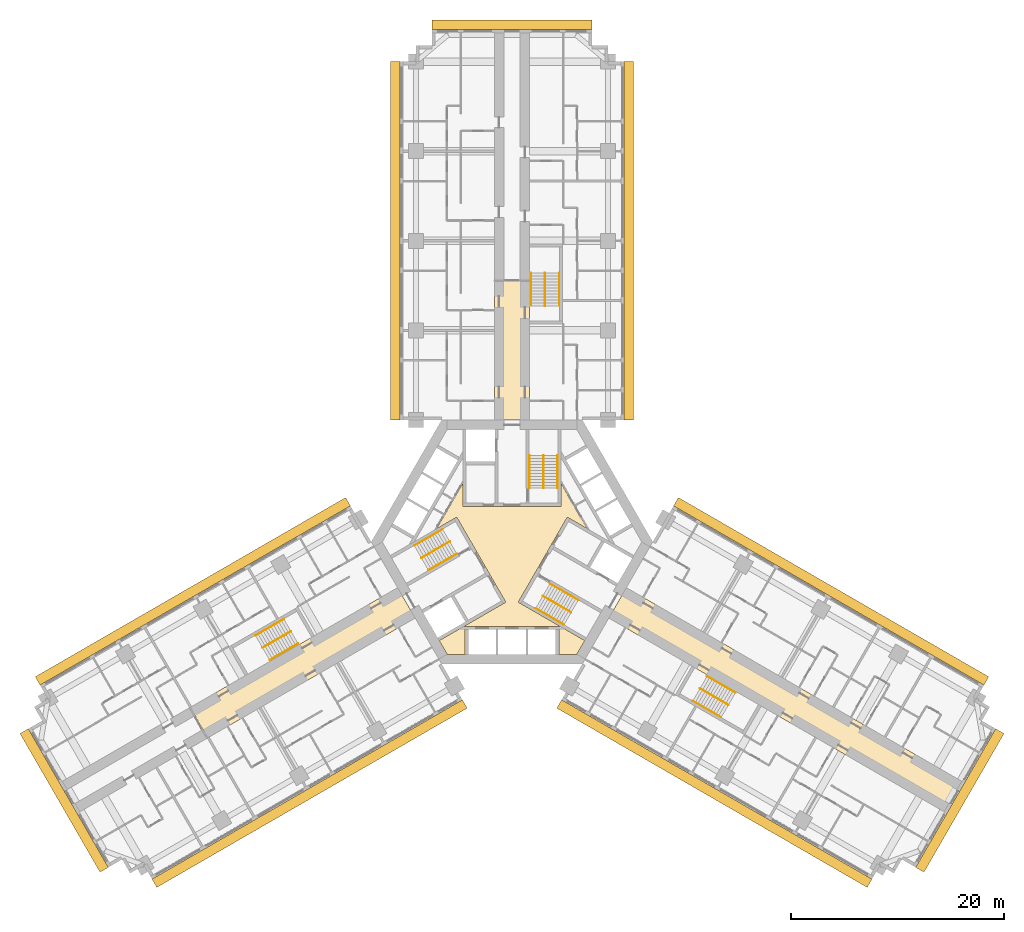
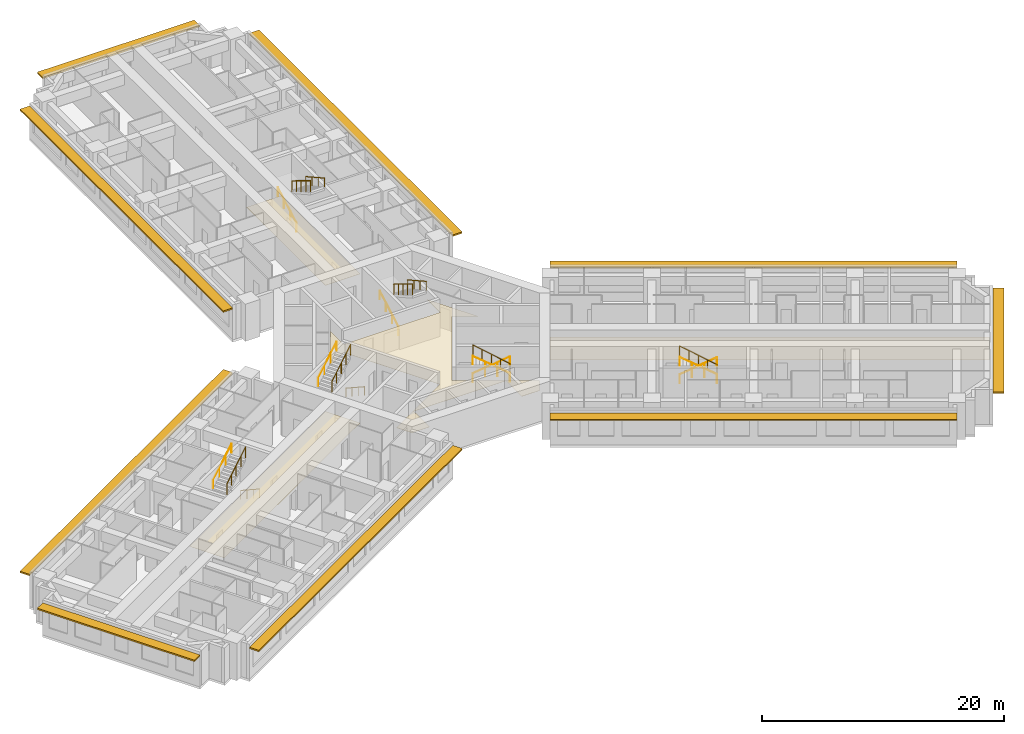
# One storey, part 16 of 16: 18 railings, 4 coverings, 3 shading devices.
"""IFC4 building model written with IfcOpenShell, lengths in metres."""

from ifc_helpers import new_model, si_unit, direction, frame, origin, origin_2d, place, context, subcontext, project, spatial, polyline, rectangle, circle, outline, extrude, material, layer, layer_set, type_object, element, save


model = new_model("IFC4")

# Units and contexts
model_context = context("Model", 3, precision=1e-05, world=origin(), true_north=direction((0.0, 1.0)))
body_context = subcontext(model_context, "Body", "Model", "MODEL_VIEW")
ifc_project = project(units=[si_unit("LENGTHUNIT", "METRE"), si_unit("AREAUNIT", "SQUARE_METRE"), si_unit("VOLUMEUNIT", "CUBIC_METRE"), si_unit("PLANEANGLEUNIT", "RADIAN"), si_unit("MASSUNIT", "GRAM", prefix="KILO")], contexts=[model_context])

# Site, building, storey
site_placement = place(None, origin())
site = spatial("IfcSite", under=ifc_project, at=site_placement, CompositionType="ELEMENT")
building_placement = place(site_placement, origin())
building = spatial("IfcBuilding", under=site, at=building_placement, Name="Impinga Residences", CompositionType="ELEMENT")
storey_placement = place(building_placement, frame((0.0, 0.0, 78.5)))
storey = spatial("IfcBuildingStorey", under=building, at=storey_placement, Name="L19", CompositionType="ELEMENT", Elevation=78.5)

# Coverings
ifc_material_1 = material(Name="Plasterboard 15 mm on steel hangers", Category="steel")
ifc_layer_1 = layer(ifc_material_1, 0.014892578125)
ifc_layer_set_1 = layer_set([ifc_layer_1], Name="Plasterboard 15 mm on steel hangers")
covering_type_1 = type_object("IfcCoveringType", Name="CL1 corridor ceiling, 15 mm plasterboard on hangers", PredefinedType="CEILING", material=ifc_layer_set_1)
covering_1_placement = place(storey_placement, frame((0.0, 0.0, 2.39990234375)))
element("IfcCovering", 1, at=covering_1_placement, inside=storey, type_object=covering_type_1, Name="Corridor ceiling CL1 L19-N00", PredefinedType="CEILING", context=body_context, shape_type="SweptSolid", body=[
    extrude(outline(polyline([(1.64990234375, 11.431640625), (-1.64990234375, 11.431640625), (-1.64990234375, 24.449951171875), (1.64990234375, 24.449951171875), (1.64990234375, 11.431640625)])), origin(), (0.0, 0.0, 1.0), 0.01513671875),
])
covering_2_placement = place(storey_placement, frame((0.0, 0.0, 2.39990234375)))
element("IfcCovering", 2, at=covering_2_placement, inside=storey, type_object=covering_type_1, Name="Corridor ceiling CL1 L19-W00", PredefinedType="CEILING", context=body_context, shape_type="SweptSolid", body=[
    extrude(outline(polyline([(-10.72509765625, -4.286865234375), (-9.074951171875, -7.144775390625), (-28.52294921875, -18.373046875), (-30.1728515625, -15.51513671875), (-10.72509765625, -4.286865234375)])), origin(), (0.0, 0.0, 1.0), 0.01513671875),
])
covering_3_placement = place(storey_placement, frame((0.0, 0.0, 2.39990234375)))
element("IfcCovering", 3, at=covering_3_placement, inside=storey, type_object=covering_type_1, Name="Corridor ceiling CL1 L19-E00", PredefinedType="CEILING", context=body_context, shape_type="SweptSolid", body=[
    extrude(outline(polyline([(10.72509765625, -4.286865234375), (9.074951171875, -7.144775390625), (40.51171875, -25.294677734375), (42.16162109375, -22.436767578125), (10.72509765625, -4.286865234375)])), origin(), (0.0, 0.0, 1.0), 0.01513671875),
])
ifc_material_2 = material(Name="Mineral fibre tiles 20 mm on exposed grid", Category="mineral fibre")
ifc_layer_2 = layer(ifc_material_2, 0.02001953125)
ifc_layer_set_2 = layer_set([ifc_layer_2], Name="CL2 lift lobby ceiling, 20 mm mineral fibre tiles")
covering_type_2 = type_object("IfcCoveringType", Name="CL2 lift lobby ceiling, 20 mm mineral fibre tiles", PredefinedType="CEILING", material=ifc_layer_set_2)
covering_4_placement = place(storey_placement, frame((0.0, 0.0, 2.39990234375)))
element("IfcCovering", 4, at=covering_4_placement, inside=storey, type_object=covering_type_2, Name="Lift lobby ceiling CL2 L19-C01", PredefinedType="CEILING", context=body_context, shape_type="SweptSolid", body=[
    extrude(outline(polyline([(6.080322265625, -10.531494140625), (4.39990234375, -10.531494140625), (4.39990234375, -7.931640625), (-4.39990234375, -7.931640625), (-4.39990234375, -10.531494140625), (-6.080322265625, -10.531494140625), (-6.820556640625, -9.24951171875), (-0.583984375, -5.648681640625), (-5.183837890625, 2.318603515625), (-7.059326171875, 1.23583984375), (-4.60009765625, 5.49560546875), (-4.60009765625, 3.330078125), (4.60009765625, 3.330078125), (4.60009765625, 5.49560546875), (7.059326171875, 1.23583984375), (5.183837890625, 2.318603515625), (0.583984375, -5.648681640625), (6.820556640625, -9.24951171875), (6.080322265625, -10.531494140625)])), origin(), (0.0, 0.0, 1.0), 0.02001953125),
])

# Railings
ifc_material_3 = material(Name="Steel guard, powder coated", Category="steel")
railing_type_1 = type_object("IfcRailingType", Name="GR1 stair guard 1100", PredefinedType="GUARDRAIL", material=ifc_material_3)
railing_1_placement = place(storey_placement, frame((2.949951171875, 8.110107421875, 1.875)))
element("IfcRailing", 5, at=railing_1_placement, inside=storey, type_object=railing_type_1, Name="Stair guard GR1 ST1 L19", PredefinedType="GUARDRAIL", context=body_context, shape_type="SweptSolid", body=[
    extrude(circle(Radius=0.02392578125, at=origin_2d()), frame((0.0, 0.0, 1.076171875), z_axis=(0.0, -0.854177636135, 0.519981313056), x_axis=(1.0, 0.0, 0.0)), (0.0, 0.0, 1.0), 3.60595703125),
    extrude(circle(Radius=0.02099609375, at=origin_2d()), origin(), (0.0, 0.0, 1.0), 1.052001953125),
    extrude(circle(Radius=0.02099609375, at=origin_2d()), frame((0.0, -0.77001953125, 0.46875)), (0.0, 0.0, 1.0), 1.052001953125),
    extrude(circle(Radius=0.02099609375, at=origin_2d()), frame((0.0, -1.5400390625, 0.9375)), (0.0, 0.0, 1.0), 1.052001953125),
    extrude(circle(Radius=0.02099609375, at=origin_2d()), frame((0.0, -2.31005859375, 1.40625)), (0.0, 0.0, 1.0), 1.052001953125),
    extrude(circle(Radius=0.02099609375, at=origin_2d()), frame((0.0, -3.080078125, 1.875)), (0.0, 0.0, 1.0), 1.052001953125),
])
railing_2_placement = place(storey_placement, frame((-8.49853515625, -1.500244140625, 1.875)))
element("IfcRailing", 6, at=railing_2_placement, inside=storey, type_object=railing_type_1, Name="Stair guard GR1 ST2 L19", PredefinedType="GUARDRAIL", context=body_context, shape_type="SweptSolid", body=[
    extrude(circle(Radius=0.02392578125, at=origin_2d()), frame((0.0, 0.0, 1.076171875), z_axis=(0.739746383972, 0.427084037168, 0.519975492303), x_axis=(-0.499992328818, 0.866029832698, 0.0)), (0.0, 0.0, 1.0), 3.60595703125),
    extrude(circle(Radius=0.02099609375, at=origin_2d()), origin(), (0.0, 0.0, 1.0), 1.052001953125),
    extrude(circle(Radius=0.02099609375, at=origin_2d()), frame((0.6669921875, 0.385009765625, 0.46875)), (0.0, 0.0, 1.0), 1.052001953125),
    extrude(circle(Radius=0.02099609375, at=origin_2d()), frame((1.333740234375, 0.77001953125, 0.9375)), (0.0, 0.0, 1.0), 1.052001953125),
    extrude(circle(Radius=0.02099609375, at=origin_2d()), frame((2.00048828125, 1.155029296875, 1.40625)), (0.0, 0.0, 1.0), 1.052001953125),
    extrude(circle(Radius=0.02099609375, at=origin_2d()), frame((2.66748046875, 1.5400390625, 1.875)), (0.0, 0.0, 1.0), 1.052001953125),
])
railing_3_placement = place(storey_placement, frame((5.548583984375, -6.60986328125, 1.875)))
element("IfcRailing", 7, at=railing_3_placement, inside=storey, type_object=railing_type_1, Name="Stair guard GR1 ST3 L19", PredefinedType="GUARDRAIL", context=body_context, shape_type="SweptSolid", body=[
    extrude(circle(Radius=0.02392578125, at=origin_2d()), frame((0.0, 0.0, 1.076171875), z_axis=(-0.739746383972, 0.427084037168, 0.519975492303), x_axis=(-0.499992328818, -0.866029832698, 0.0)), (0.0, 0.0, 1.0), 3.60595703125),
    extrude(circle(Radius=0.02099609375, at=origin_2d()), origin(), (0.0, 0.0, 1.0), 1.052001953125),
    extrude(circle(Radius=0.02099609375, at=origin_2d()), frame((-0.6669921875, 0.385009765625, 0.46875)), (0.0, 0.0, 1.0), 1.052001953125),
    extrude(circle(Radius=0.02099609375, at=origin_2d()), frame((-1.333740234375, 0.77001953125, 0.9375)), (0.0, 0.0, 1.0), 1.052001953125),
    extrude(circle(Radius=0.02099609375, at=origin_2d()), frame((-2.00048828125, 1.155029296875, 1.40625)), (0.0, 0.0, 1.0), 1.052001953125),
    extrude(circle(Radius=0.02099609375, at=origin_2d()), frame((-2.66748046875, 1.5400390625, 1.875)), (0.0, 0.0, 1.0), 1.052001953125),
])
railing_4_placement = place(storey_placement, frame((3.10009765625, 25.21142578125, 1.875)))
element("IfcRailing", 8, at=railing_4_placement, inside=storey, type_object=railing_type_1, Name="Stair guard GR1 WS1 L19", PredefinedType="GUARDRAIL", context=body_context, shape_type="SweptSolid", body=[
    extrude(circle(Radius=0.02392578125, at=origin_2d()), frame((0.0, 0.0, 1.076171875), z_axis=(0.0, -0.854159328187, 0.520011386482), x_axis=(1.0, 0.0, 0.0)), (0.0, 0.0, 1.0), 3.605712890625),
    extrude(circle(Radius=0.02099609375, at=origin_2d()), origin(), (0.0, 0.0, 1.0), 1.052001953125),
    extrude(circle(Radius=0.02099609375, at=origin_2d()), frame((0.0, -0.77001953125, 0.46875)), (0.0, 0.0, 1.0), 1.052001953125),
    extrude(circle(Radius=0.02099609375, at=origin_2d()), frame((0.0, -1.5400390625, 0.9375)), (0.0, 0.0, 1.0), 1.052001953125),
    extrude(circle(Radius=0.02099609375, at=origin_2d()), frame((0.0, -2.309814453125, 1.40625)), (0.0, 0.0, 1.0), 1.052001953125),
    extrude(circle(Radius=0.02099609375, at=origin_2d()), frame((0.0, -3.079833984375, 1.875)), (0.0, 0.0, 1.0), 1.052001953125),
])
railing_5_placement = place(storey_placement, frame((-23.3837890625, -9.921142578125, 1.875)))
element("IfcRailing", 9, at=railing_5_placement, inside=storey, type_object=railing_type_1, Name="Stair guard GR1 WS2 L19", PredefinedType="GUARDRAIL", context=body_context, shape_type="SweptSolid", body=[
    extrude(circle(Radius=0.02392578125, at=origin_2d()), frame((0.0, 0.0, 1.076171875), z_axis=(0.739715726454, 0.427105428144, 0.52000153585), x_axis=(-0.500026652407, 0.866010015463, 0.0)), (0.0, 0.0, 1.0), 3.605712890625),
    extrude(circle(Radius=0.02099609375, at=origin_2d()), origin(), (0.0, 0.0, 1.0), 1.052001953125),
    extrude(circle(Radius=0.02099609375, at=origin_2d()), frame((0.666748046875, 0.385009765625, 0.46875)), (0.0, 0.0, 1.0), 1.052001953125),
    extrude(circle(Radius=0.02099609375, at=origin_2d()), frame((1.33349609375, 0.77001953125, 0.9375)), (0.0, 0.0, 1.0), 1.052001953125),
    extrude(circle(Radius=0.02099609375, at=origin_2d()), frame((2.00048828125, 1.155029296875, 1.40625)), (0.0, 0.0, 1.0), 1.052001953125),
    extrude(circle(Radius=0.02099609375, at=origin_2d()), frame((2.667236328125, 1.5400390625, 1.875)), (0.0, 0.0, 1.0), 1.052001953125),
])
railing_6_placement = place(storey_placement, frame((20.283935546875, -15.29052734375, 1.875)))
element("IfcRailing", 10, at=railing_6_placement, inside=storey, type_object=railing_type_1, Name="Stair guard GR1 WS3 L19", PredefinedType="GUARDRAIL", context=body_context, shape_type="SweptSolid", body=[
    extrude(circle(Radius=0.02392578125, at=origin_2d()), frame((0.0, 0.0, 1.076171875), z_axis=(-0.739746383972, 0.427084037168, 0.519975492303), x_axis=(-0.499992328818, -0.866029832698, 0.0)), (0.0, 0.0, 1.0), 3.60595703125),
    extrude(circle(Radius=0.02099609375, at=origin_2d()), origin(), (0.0, 0.0, 1.0), 1.052001953125),
    extrude(circle(Radius=0.02099609375, at=origin_2d()), frame((-0.6669921875, 0.385009765625, 0.46875)), (0.0, 0.0, 1.0), 1.052001953125),
    extrude(circle(Radius=0.02099609375, at=origin_2d()), frame((-1.333740234375, 0.77001953125, 0.9375)), (0.0, 0.0, 1.0), 1.052001953125),
    extrude(circle(Radius=0.02099609375, at=origin_2d()), frame((-2.00048828125, 1.155029296875, 1.40625)), (0.0, 0.0, 1.0), 1.052001953125),
    extrude(circle(Radius=0.02099609375, at=origin_2d()), frame((-2.66748046875, 1.5400390625, 1.875)), (0.0, 0.0, 1.0), 1.052001953125),
])
ifc_material_4 = material(Name="Steel handrail tube 42 mm, powder coated", Category="steel")
railing_type_2 = type_object("IfcRailingType", Name="HR1 stair handrail, 42 mm steel tube, 900 above the pitch line", PredefinedType="HANDRAIL", material=ifc_material_4)
railing_7_placement = place(storey_placement, frame((1.62109375, 5.030029296875, 0.15625)))
element("IfcRailing", 11, at=railing_7_placement, inside=storey, type_object=railing_type_2, Name="Stair handrail HR1 ST1 L19", PredefinedType="HANDRAIL", context=body_context, shape_type="SweptSolid", body=[
    extrude(circle(Radius=0.02099609375, at=origin_2d()), frame((0.0, 0.0, 0.87890625), z_axis=(0.0, 0.873241540666, 0.487287606713), x_axis=(-1.0, 0.0, 0.0)), (0.0, 0.0, 1.0), 3.527099609375),
    extrude(circle(Radius=0.012451171875, at=origin_2d()), origin(), (0.0, 0.0, 1.0), 0.85791015625),
    extrude(circle(Radius=0.012451171875, at=origin_2d()), frame((0.0, 1.026611328125, 0.572998046875)), (0.0, 0.0, 1.0), 0.85791015625),
    extrude(circle(Radius=0.012451171875, at=origin_2d()), frame((0.0, 2.053466796875, 1.145751953125)), (0.0, 0.0, 1.0), 0.85791015625),
    extrude(circle(Radius=0.012451171875, at=origin_2d()), frame((0.0, 3.080078125, 1.71875)), (0.0, 0.0, 1.0), 0.85791015625),
])
railing_8_placement = place(storey_placement, frame((4.279052734375, 8.110107421875, 2.03125)))
element("IfcRailing", 12, at=railing_8_placement, inside=storey, type_object=railing_type_2, Name="Stair handrail HR1 ST1 L19", PredefinedType="HANDRAIL", context=body_context, shape_type="SweptSolid", body=[
    extrude(circle(Radius=0.02099609375, at=origin_2d()), frame((0.0, 0.0, 0.87890625), z_axis=(0.0, -0.873241540666, 0.487287606713), x_axis=(1.0, 0.0, 0.0)), (0.0, 0.0, 1.0), 3.527099609375),
    extrude(circle(Radius=0.012451171875, at=origin_2d()), origin(), (0.0, 0.0, 1.0), 0.85791015625),
    extrude(circle(Radius=0.012451171875, at=origin_2d()), frame((0.0, -1.026611328125, 0.572998046875)), (0.0, 0.0, 1.0), 0.85791015625),
    extrude(circle(Radius=0.012451171875, at=origin_2d()), frame((0.0, -2.053466796875, 1.145751953125)), (0.0, 0.0, 1.0), 0.85791015625),
    extrude(circle(Radius=0.012451171875, at=origin_2d()), frame((0.0, -3.080078125, 1.71875)), (0.0, 0.0, 1.0), 0.85791015625),
])
railing_9_placement = place(storey_placement, frame((-5.16650390625, -1.111083984375, 0.15625)))
element("IfcRailing", 13, at=railing_9_placement, inside=storey, type_object=railing_type_2, Name="Stair handrail HR1 ST2 L19", PredefinedType="HANDRAIL", context=body_context, shape_type="SweptSolid", body=[
    extrude(circle(Radius=0.02099609375, at=origin_2d()), frame((0.0, 0.0, 0.87890625), z_axis=(-0.756255980417, -0.436615662133, 0.487281905742), x_axis=(0.499992328818, -0.866029832698, 0.0)), (0.0, 0.0, 1.0), 3.527099609375),
    extrude(circle(Radius=0.012451171875, at=origin_2d()), origin(), (0.0, 0.0, 1.0), 0.85791015625),
    extrude(circle(Radius=0.012451171875, at=origin_2d()), frame((-0.88916015625, -0.513427734375, 0.572998046875)), (0.0, 0.0, 1.0), 0.85791015625),
    extrude(circle(Radius=0.012451171875, at=origin_2d()), frame((-1.7783203125, -1.026611328125, 1.145751953125)), (0.0, 0.0, 1.0), 0.85791015625),
    extrude(circle(Radius=0.012451171875, at=origin_2d()), frame((-2.66748046875, -1.5400390625, 1.71875)), (0.0, 0.0, 1.0), 0.85791015625),
])
railing_10_placement = place(storey_placement, frame((-9.1630859375, -0.349365234375, 2.03125)))
element("IfcRailing", 14, at=railing_10_placement, inside=storey, type_object=railing_type_2, Name="Stair handrail HR1 ST2 L19", PredefinedType="HANDRAIL", context=body_context, shape_type="SweptSolid", body=[
    extrude(circle(Radius=0.02099609375, at=origin_2d()), frame((0.0, 0.0, 0.87890625), z_axis=(0.756255980417, 0.436615662133, 0.487281905742), x_axis=(-0.499992328818, 0.866029832698, 0.0)), (0.0, 0.0, 1.0), 3.527099609375),
    extrude(circle(Radius=0.012451171875, at=origin_2d()), origin(), (0.0, 0.0, 1.0), 0.85791015625),
    extrude(circle(Radius=0.012451171875, at=origin_2d()), frame((0.88916015625, 0.513427734375, 0.572998046875)), (0.0, 0.0, 1.0), 0.85791015625),
    extrude(circle(Radius=0.012451171875, at=origin_2d()), frame((1.7783203125, 1.026611328125, 1.145751953125)), (0.0, 0.0, 1.0), 0.85791015625),
    extrude(circle(Radius=0.012451171875, at=origin_2d()), frame((2.66748046875, 1.5400390625, 1.71875)), (0.0, 0.0, 1.0), 0.85791015625),
])
railing_11_placement = place(storey_placement, frame((3.545654296875, -3.9189453125, 0.15625)))
element("IfcRailing", 15, at=railing_11_placement, inside=storey, type_object=railing_type_2, Name="Stair handrail HR1 ST3 L19", PredefinedType="HANDRAIL", context=body_context, shape_type="SweptSolid", body=[
    extrude(circle(Radius=0.02099609375, at=origin_2d()), frame((0.0, 0.0, 0.87890625), z_axis=(0.756249203677, -0.436582492228, 0.487322141317), x_axis=(0.499967199496, 0.866044340336, 0.0)), (0.0, 0.0, 1.0), 3.52685546875),
    extrude(circle(Radius=0.012451171875, at=origin_2d()), origin(), (0.0, 0.0, 1.0), 0.85791015625),
    extrude(circle(Radius=0.012451171875, at=origin_2d()), frame((0.88916015625, -0.51318359375, 0.572998046875)), (0.0, 0.0, 1.0), 0.85791015625),
    extrude(circle(Radius=0.012451171875, at=origin_2d()), frame((1.778076171875, -1.026611328125, 1.145751953125)), (0.0, 0.0, 1.0), 0.85791015625),
    extrude(circle(Radius=0.012451171875, at=origin_2d()), frame((2.667236328125, -1.539794921875, 1.71875)), (0.0, 0.0, 1.0), 0.85791015625),
])
railing_12_placement = place(storey_placement, frame((4.884033203125, -7.7607421875, 2.03125)))
element("IfcRailing", 16, at=railing_12_placement, inside=storey, type_object=railing_type_2, Name="Stair handrail HR1 ST3 L19", PredefinedType="HANDRAIL", context=body_context, shape_type="SweptSolid", body=[
    extrude(circle(Radius=0.02099609375, at=origin_2d()), frame((0.0, 0.0, 0.87890625), z_axis=(-0.756255980417, 0.436615662133, 0.487281905742), x_axis=(-0.499992328818, -0.866029832698, 0.0)), (0.0, 0.0, 1.0), 3.527099609375),
    extrude(circle(Radius=0.012451171875, at=origin_2d()), origin(), (0.0, 0.0, 1.0), 0.85791015625),
    extrude(circle(Radius=0.012451171875, at=origin_2d()), frame((-0.88916015625, 0.513427734375, 0.572998046875)), (0.0, 0.0, 1.0), 0.85791015625),
    extrude(circle(Radius=0.012451171875, at=origin_2d()), frame((-1.7783203125, 1.026611328125, 1.145751953125)), (0.0, 0.0, 1.0), 0.85791015625),
    extrude(circle(Radius=0.012451171875, at=origin_2d()), frame((-2.66748046875, 1.5400390625, 1.71875)), (0.0, 0.0, 1.0), 0.85791015625),
])
railing_13_placement = place(storey_placement, frame((1.77099609375, 22.131591796875, 0.15625)))
element("IfcRailing", 17, at=railing_13_placement, inside=storey, type_object=railing_type_2, Name="Stair handrail HR1 WS1 L19", PredefinedType="HANDRAIL", context=body_context, shape_type="SweptSolid", body=[
    extrude(circle(Radius=0.02099609375, at=origin_2d()), frame((0.0, 0.0, 0.87890625), z_axis=(0.0, 0.873225103656, 0.487317061414), x_axis=(-1.0, 0.0, 0.0)), (0.0, 0.0, 1.0), 3.52685546875),
    extrude(circle(Radius=0.012451171875, at=origin_2d()), origin(), (0.0, 0.0, 1.0), 0.85791015625),
    extrude(circle(Radius=0.012451171875, at=origin_2d()), frame((0.0, 1.026611328125, 0.572998046875)), (0.0, 0.0, 1.0), 0.85791015625),
    extrude(circle(Radius=0.012451171875, at=origin_2d()), frame((0.0, 2.05322265625, 1.145751953125)), (0.0, 0.0, 1.0), 0.85791015625),
    extrude(circle(Radius=0.012451171875, at=origin_2d()), frame((0.0, 3.079833984375, 1.71875)), (0.0, 0.0, 1.0), 0.85791015625),
])
railing_14_placement = place(storey_placement, frame((4.428955078125, 25.21142578125, 2.03125)))
element("IfcRailing", 18, at=railing_14_placement, inside=storey, type_object=railing_type_2, Name="Stair handrail HR1 WS1 L19", PredefinedType="HANDRAIL", context=body_context, shape_type="SweptSolid", body=[
    extrude(circle(Radius=0.02099609375, at=origin_2d()), frame((0.0, 0.0, 0.87890625), z_axis=(0.0, -0.873225103656, 0.487317061414), x_axis=(1.0, 0.0, 0.0)), (0.0, 0.0, 1.0), 3.52685546875),
    extrude(circle(Radius=0.012451171875, at=origin_2d()), origin(), (0.0, 0.0, 1.0), 0.85791015625),
    extrude(circle(Radius=0.012451171875, at=origin_2d()), frame((0.0, -1.026611328125, 0.572998046875)), (0.0, 0.0, 1.0), 0.85791015625),
    extrude(circle(Radius=0.012451171875, at=origin_2d()), frame((0.0, -2.05322265625, 1.145751953125)), (0.0, 0.0, 1.0), 0.85791015625),
    extrude(circle(Radius=0.012451171875, at=origin_2d()), frame((0.0, -3.079833984375, 1.71875)), (0.0, 0.0, 1.0), 0.85791015625),
])
railing_15_placement = place(storey_placement, frame((-20.052001953125, -9.531982421875, 0.15625)))
element("IfcRailing", 19, at=railing_15_placement, inside=storey, type_object=railing_type_2, Name="Stair handrail HR1 WS2 L19", PredefinedType="HANDRAIL", context=body_context, shape_type="SweptSolid", body=[
    extrude(circle(Radius=0.02099609375, at=origin_2d()), frame((0.0, 0.0, 0.87890625), z_axis=(-0.756226348243, -0.436638517594, 0.487307413422), x_axis=(0.500026652407, -0.866010015463, 0.0)), (0.0, 0.0, 1.0), 3.527099609375),
    extrude(circle(Radius=0.012451171875, at=origin_2d()), origin(), (0.0, 0.0, 1.0), 0.85791015625),
    extrude(circle(Radius=0.012451171875, at=origin_2d()), frame((-0.88916015625, -0.513427734375, 0.572998046875)), (0.0, 0.0, 1.0), 0.85791015625),
    extrude(circle(Radius=0.012451171875, at=origin_2d()), frame((-1.778076171875, -1.026611328125, 1.145751953125)), (0.0, 0.0, 1.0), 0.85791015625),
    extrude(circle(Radius=0.012451171875, at=origin_2d()), frame((-2.667236328125, -1.5400390625, 1.71875)), (0.0, 0.0, 1.0), 0.85791015625),
])
railing_16_placement = place(storey_placement, frame((-24.04833984375, -8.77001953125, 2.03125)))
element("IfcRailing", 20, at=railing_16_placement, inside=storey, type_object=railing_type_2, Name="Stair handrail HR1 WS2 L19", PredefinedType="HANDRAIL", context=body_context, shape_type="SweptSolid", body=[
    extrude(circle(Radius=0.02099609375, at=origin_2d()), frame((0.0, 0.0, 0.87890625), z_axis=(0.756278834354, 0.436559638319, 0.487296631324), x_axis=(-0.499932877268, 0.866064153644, 0.0)), (0.0, 0.0, 1.0), 3.527099609375),
    extrude(circle(Radius=0.012451171875, at=origin_2d()), origin(), (0.0, 0.0, 1.0), 0.85791015625),
    extrude(circle(Radius=0.012451171875, at=origin_2d()), frame((0.88916015625, 0.51318359375, 0.572998046875)), (0.0, 0.0, 1.0), 0.85791015625),
    extrude(circle(Radius=0.012451171875, at=origin_2d()), frame((1.7783203125, 1.026611328125, 1.145751953125)), (0.0, 0.0, 1.0), 0.85791015625),
    extrude(circle(Radius=0.012451171875, at=origin_2d()), frame((2.66748046875, 1.539794921875, 1.71875)), (0.0, 0.0, 1.0), 0.85791015625),
])
railing_17_placement = place(storey_placement, frame((18.281005859375, -12.599609375, 0.15625)))
element("IfcRailing", 21, at=railing_17_placement, inside=storey, type_object=railing_type_2, Name="Stair handrail HR1 WS3 L19", PredefinedType="HANDRAIL", context=body_context, shape_type="SweptSolid", body=[
    extrude(circle(Radius=0.02099609375, at=origin_2d()), frame((0.0, 0.0, 0.87890625), z_axis=(0.756249203677, -0.436582492228, 0.487322141317), x_axis=(0.499967199496, 0.866044340336, 0.0)), (0.0, 0.0, 1.0), 3.52685546875),
    extrude(circle(Radius=0.012451171875, at=origin_2d()), origin(), (0.0, 0.0, 1.0), 0.85791015625),
    extrude(circle(Radius=0.012451171875, at=origin_2d()), frame((0.88916015625, -0.51318359375, 0.572998046875)), (0.0, 0.0, 1.0), 0.85791015625),
    extrude(circle(Radius=0.012451171875, at=origin_2d()), frame((1.778076171875, -1.026611328125, 1.145751953125)), (0.0, 0.0, 1.0), 0.85791015625),
    extrude(circle(Radius=0.012451171875, at=origin_2d()), frame((2.667236328125, -1.539794921875, 1.71875)), (0.0, 0.0, 1.0), 0.85791015625),
])
railing_18_placement = place(storey_placement, frame((19.619384765625, -16.44140625, 2.03125)))
element("IfcRailing", 22, at=railing_18_placement, inside=storey, type_object=railing_type_2, Name="Stair handrail HR1 WS3 L19", PredefinedType="HANDRAIL", context=body_context, shape_type="SweptSolid", body=[
    extrude(circle(Radius=0.02099609375, at=origin_2d()), frame((0.0, 0.0, 0.87890625), z_axis=(-0.756255980417, 0.436615662133, 0.487281905742), x_axis=(-0.499992328818, -0.866029832698, 0.0)), (0.0, 0.0, 1.0), 3.527099609375),
    extrude(circle(Radius=0.012451171875, at=origin_2d()), origin(), (0.0, 0.0, 1.0), 0.85791015625),
    extrude(circle(Radius=0.012451171875, at=origin_2d()), frame((-0.88916015625, 0.513427734375, 0.572998046875)), (0.0, 0.0, 1.0), 0.85791015625),
    extrude(circle(Radius=0.012451171875, at=origin_2d()), frame((-1.7783203125, 1.026611328125, 1.145751953125)), (0.0, 0.0, 1.0), 0.85791015625),
    extrude(circle(Radius=0.012451171875, at=origin_2d()), frame((-2.66748046875, 1.5400390625, 1.71875)), (0.0, 0.0, 1.0), 0.85791015625),
])

# Shading devices
ifc_material_5 = material(Name="Terracotta sunshade blades on aluminium brackets", Category="masonry")
ifc_layer_3 = layer(ifc_material_5, 0.14990234375)
ifc_layer_set_3 = layer_set([ifc_layer_3], Name="SS1 SUNSHADE terracotta sunshade band 900")
shading_device_type = type_object("IfcShadingDeviceType", Name="SS1 SUNSHADE terracotta sunshade band 900", PredefinedType="USERDEFINED", material=ifc_layer_set_3)
shading_device_1_placement = place(storey_placement, frame((-10.949951171875, 28.2314453125, 3.10009765625), z_axis=(0.0, 0.0, 1.0), x_axis=(0.0, 1.0, 0.0)))
element("IfcShadingDevice", 23, at=shading_device_1_placement, inside=storey, type_object=shading_device_type, Name="SUNSHADE band L19 NORTH WING", ObjectType="SUNSHADE", PredefinedType="USERDEFINED", context=body_context, shape_type="SweptSolid", body=[
    extrude(rectangle(XDim=33.60009765625, YDim=0.89990234375, at=origin_2d()), origin(), (0.0, 0.0, 1.0), 0.14990234375),
    extrude(rectangle(XDim=15.0, YDim=0.89990234375, at=origin_2d()), frame((20.25, -10.949951171875, 0.0), z_axis=(0.0, 0.0, 1.0), x_axis=(0.0, -1.0, 0.0)), (0.0, 0.0, 1.0), 0.14990234375),
    extrude(rectangle(XDim=33.60009765625, YDim=0.89990234375, at=origin_2d()), frame((0.0, -21.89990234375, 0.0), z_axis=(0.0, 0.0, 1.0), x_axis=(-1.0, 0.0, 0.0)), (0.0, 0.0, 1.0), 0.14990234375),
])
shading_device_2_placement = place(storey_placement, frame((-41.986328125, -24.24072265625, 3.10009765625), z_axis=(0.0, 0.0, 1.0), x_axis=(-0.5, 0.866025403784, 0.0)))
element("IfcShadingDevice", 24, at=shading_device_2_placement, inside=storey, type_object=shading_device_type, Name="SUNSHADE band L19 WEST WING", ObjectType="SUNSHADE", PredefinedType="USERDEFINED", context=body_context, shape_type="SweptSolid", body=[
    extrude(rectangle(XDim=15.0, YDim=0.89990234375, at=origin_2d()), origin(), (0.0, 0.0, 1.0), 0.14990234375),
    extrude(rectangle(XDim=33.60009765625, YDim=0.89990234375, at=origin_2d()), frame((10.949951171875, -20.25, 0.0), z_axis=(0.0, 0.0, 1.0), x_axis=(0.0, -1.0, 0.0)), (0.0, 0.0, 1.0), 0.14990234375),
    extrude(rectangle(XDim=33.60009765625, YDim=0.89990234375, at=origin_2d()), frame((-10.949951171875, -20.250244140625, 0.0), z_axis=(0.0, 0.0, 1.0), x_axis=(0.0, 1.0, 0.0)), (0.0, 0.0, 1.0), 0.14990234375),
])
shading_device_3_placement = place(storey_placement, frame((29.92431640625, -4.6328125, 3.10009765625), z_axis=(0.0, 0.0, 1.0), x_axis=(0.866025403784, -0.5, 0.0)))
element("IfcShadingDevice", 25, at=shading_device_3_placement, inside=storey, type_object=shading_device_type, Name="SUNSHADE band L19 EAST WING", ObjectType="SUNSHADE", PredefinedType="USERDEFINED", context=body_context, shape_type="SweptSolid", body=[
    extrude(rectangle(XDim=33.60009765625, YDim=0.89990234375, at=origin_2d()), origin(), (0.0, 0.0, 1.0), 0.14990234375),
    extrude(rectangle(XDim=15.0, YDim=0.89990234375, at=origin_2d()), frame((20.25, -10.949951171875, 0.0), z_axis=(0.0, 0.0, 1.0), x_axis=(0.0, -1.0, 0.0)), (0.0, 0.0, 1.0), 0.14990234375),
    extrude(rectangle(XDim=33.60009765625, YDim=0.89990234375, at=origin_2d()), frame((-0.000244140625, -21.89990234375, 0.0), z_axis=(0.0, 0.0, 1.0), x_axis=(-1.0, 0.0, 0.0)), (0.0, 0.0, 1.0), 0.14990234375),
])

save(model, "model.ifc")
